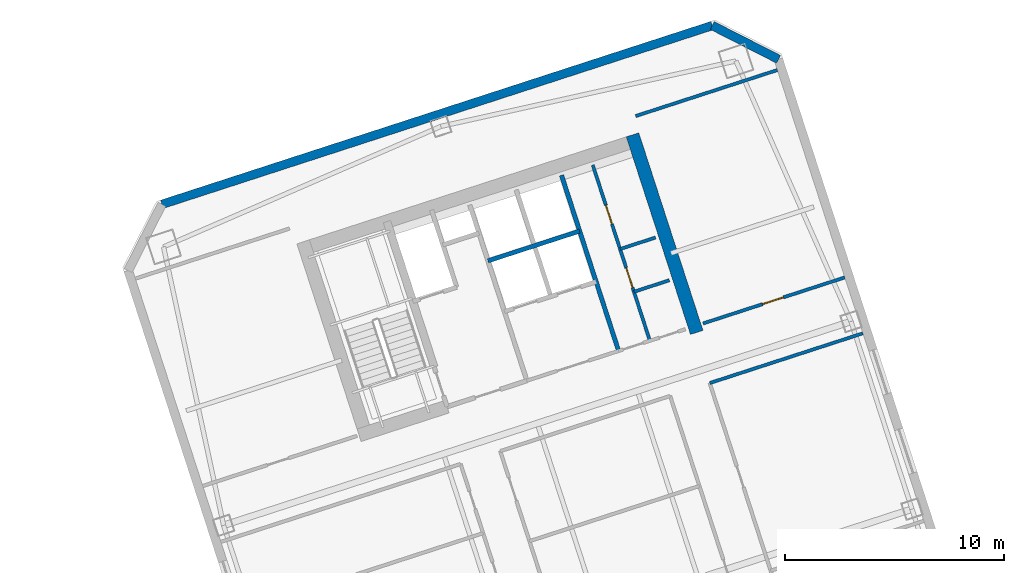
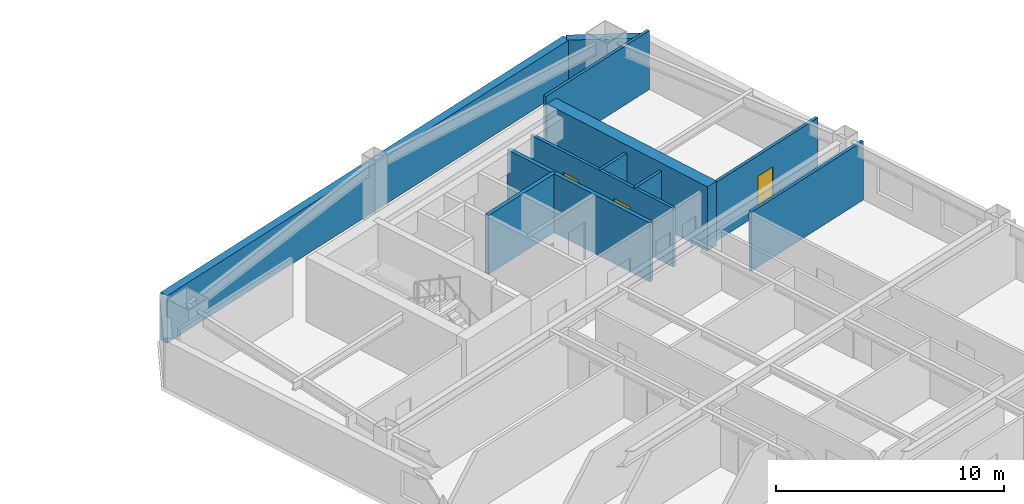
# One storey, part 10 of 13: 11 walls, 3 doors, 3 openings.
"""IFC4 building model written with IfcOpenShell, lengths in metres."""

from ifc_helpers import new_model, si_unit, direction, frame, frame_2d, origin, place, context, subcontext, project, spatial, rectangle, extrude, material, layer, layer_set, type_object, element, fill, save


model = new_model("IFC4")

# Units and contexts
model_context = context("Model", 3, precision=1e-05, world=origin(), true_north=direction((0.0, 1.0)))
body_context = subcontext(model_context, "Body", "Model", "MODEL_VIEW")
ifc_project = project(units=[si_unit("LENGTHUNIT", "METRE"), si_unit("AREAUNIT", "SQUARE_METRE"), si_unit("VOLUMEUNIT", "CUBIC_METRE"), si_unit("PLANEANGLEUNIT", "RADIAN"), si_unit("MASSUNIT", "GRAM", prefix="KILO")], contexts=[model_context])

# Site, building, storey
site_placement = place(None, origin())
site = spatial("IfcSite", under=ifc_project, at=site_placement, CompositionType="ELEMENT")
building_placement = place(site_placement, origin())
building = spatial("IfcBuilding", under=site, at=building_placement, Name="Qiaolan Cultural Towers", CompositionType="ELEMENT")
storey_placement = place(building_placement, frame((0.0, 0.0, 180.550048828125)))
storey = spatial("IfcBuildingStorey", under=building, at=storey_placement, Name="L48", CompositionType="ELEMENT", Elevation=180.550048828125)

# Walls
ifc_material_1 = material(Name="Concrete C55", Category="concrete")
ifc_layer_1 = layer(ifc_material_1, 0.60009765625)
ifc_layer_set_1 = layer_set([ifc_layer_1], Name="Concrete C55")
wall_type_1 = type_object("IfcWallType", Name="WL-CORE-600", PredefinedType="SHEAR", material=ifc_layer_set_1)
wall_1_placement = place(storey_placement, frame((94.4921875, 46.710205078125, 0.0), z_axis=(0.0, 0.0, 1.0), x_axis=(-0.309010370028, 0.95105866865, 0.0)))
element("IfcWall", 1, at=wall_1_placement, inside=storey, type_object=wall_type_1, Name="L48 T2-CN East Core Shear Wall", PredefinedType="SHEAR", context=body_context, shape_type="SweptSolid", body=[
    extrude(rectangle(XDim=9.47998046875, YDim=0.60009765625, at=frame_2d((4.739990234375, 0.0))), origin(), (0.0, 0.0, 1.0), 3.449951171875),
])
ifc_material_2 = material(Name="Precast Concrete C50 Honed Stone Pier", Category="masonry")
ifc_layer_2 = layer(ifc_material_2, 0.39990234375)
ifc_layer_set_2 = layer_set([ifc_layer_2], Name="Precast Concrete C50 Honed Stone Pier")
wall_type_2 = type_object("IfcWallType", Name="WL-EXT-PIER-400", PredefinedType="SOLIDWALL", material=ifc_layer_set_2)
wall_2_placement = place(storey_placement, frame((70.091552734375, 52.55615234375, 0.0), z_axis=(0.0, 0.0, 1.0), x_axis=(0.951057580055, 0.30901372044, 0.0)))
element("IfcWall", 2, at=wall_2_placement, inside=storey, type_object=wall_type_2, Name="L48 East Tower Precast Pier Facade Wall F3", PredefinedType="SOLIDWALL", context=body_context, shape_type="SweptSolid", body=[
    extrude(rectangle(XDim=26.39990234375, YDim=0.39990234375, at=frame_2d((13.199951171875, 0.0))), origin(), (0.0, 0.0, 1.0), 2.550048828125),
])
wall_3_placement = place(storey_placement, frame((95.199462890625, 60.714111328125, 0.0), z_axis=(0.0, 0.0, 1.0), x_axis=(0.891020832027, -0.453962417932, 0.0)))
element("IfcWall", 3, at=wall_3_placement, inside=storey, type_object=wall_type_2, Name="L48 East Tower Precast Pier Facade Wall F4", PredefinedType="SOLIDWALL", context=body_context, shape_type="SweptSolid", body=[
    extrude(rectangle(XDim=3.39404296875, YDim=0.39990234375, at=frame_2d((1.697021484375, 0.0))), origin(), (0.0, 0.0, 1.0), 2.550048828125),
])
ifc_material_3 = material(Name="Concrete C35 Fire Wall", Category="concrete")
ifc_layer_3 = layer(ifc_material_3, 0.199951171875)
ifc_layer_set_3 = layer_set([ifc_layer_3], Name="Concrete C35 Fire Wall")
wall_type_3 = type_object("IfcWallType", Name="WL-FIRE-200", PredefinedType="PARTITIONING", material=ifc_layer_set_3)
wall_4_placement = place(storey_placement, frame((90.92822265625, 45.86767578125, 0.0), z_axis=(0.0, 0.0, 1.0), x_axis=(-0.309042196757, 0.951048327176, 0.0)))
element("IfcWall", 4, at=wall_4_placement, inside=storey, type_object=wall_type_3, Name="L48 T2-CN Lift Core East Wall", PredefinedType="PARTITIONING", context=body_context, shape_type="SweptSolid", body=[
    extrude(rectangle(XDim=8.429931640625, YDim=0.199951171875, at=frame_2d((4.21484375, 0.0))), origin(), (0.0, 0.0, 1.0), 3.155029296875),
])
wall_5_placement = place(storey_placement, frame((84.966552734375, 49.9765625, 0.0), z_axis=(0.0, 0.0, 1.0), x_axis=(0.951063829732, 0.308994485023, 0.0)))
element("IfcWall", 5, at=wall_5_placement, inside=storey, type_object=wall_type_3, Name="L48 T2-CN Passenger Lift Shaft Back Wall", PredefinedType="PARTITIONING", context=body_context, shape_type="SweptSolid", body=[
    extrude(rectangle(XDim=4.400146484375, YDim=0.199951171875, at=frame_2d((2.2001953125, 0.0))), origin(), (0.0, 0.0, 1.0), 3.155029296875),
])

# Wall, openings, doors
ifc_material_4 = material(Name="Autoclaved Aerated Concrete Block B06", Category="concrete")
ifc_layer_4 = layer(ifc_material_4, 0.14990234375)
ifc_layer_set_4 = layer_set([ifc_layer_4], Name="Autoclaved Aerated Concrete Block B06")
wall_type_4 = type_object("IfcWallType", Name="WL-PART-150", PredefinedType="PARTITIONING", material=ifc_layer_set_4)
wall_6_placement = place(storey_placement, frame((92.354736328125, 46.3310546875, 0.0), z_axis=(0.0, 0.0, 1.0), x_axis=(-0.309007490203, 0.951059604335, 0.0)))
wall_6 = element("IfcWall", 6, at=wall_6_placement, inside=storey, type_object=wall_type_4, Name="L48 T2-CN Sanitary Corridor Wall", PredefinedType="PARTITIONING", context=body_context, shape_type="SweptSolid", body=[
    extrude(rectangle(XDim=8.43017578125, YDim=0.14990234375, at=frame_2d((4.215087890625, 0.0))), origin(), (0.0, 0.0, 1.0), 3.155029296875),
])
opening_1_placement = place(wall_6_placement, frame((2.550048828125, 0.0, 0.0)))
opening_1 = element("IfcOpeningElement", 7, at=opening_1_placement, cuts=wall_6, Name="Opening ID-05", PredefinedType="OPENING", context=body_context, shape_type="SweptSolid", body=[
    extrude(rectangle(XDim=0.949951171875, YDim=2.050048828125, at=frame_2d((0.47509765625, 1.02490234375))), frame((0.0, 0.0849609375, 0.0), z_axis=(0.0, -1.0, 0.0), x_axis=(1.0, 0.0, 0.0)), (0.0, 0.0, 1.0), 0.169921875),
])
opening_2_placement = place(wall_6_placement, frame((5.60009765625, 0.0, 0.0)))
opening_2 = element("IfcOpeningElement", 8, at=opening_2_placement, cuts=wall_6, Name="Opening ID-06", PredefinedType="OPENING", context=body_context, shape_type="SweptSolid", body=[
    extrude(rectangle(XDim=0.89990234375, YDim=2.050048828125, at=frame_2d((0.449951171875, 1.02490234375))), frame((0.0, 0.0849609375, 0.0), z_axis=(0.0, -1.0, 0.0), x_axis=(1.0, 0.0, 0.0)), (0.0, 0.0, 1.0), 0.169921875),
])
ifc_material_5 = material(Name="Fire-Rated Laminate Core Service Door", Category="timber")
door_type_1 = type_object("IfcDoorType", Name="DR-INT-900", OperationType="NOTDEFINED", PredefinedType="DOOR", material=ifc_material_5)
door_1_placement = place(opening_2_placement, origin())
door_1 = element("IfcDoor", 9, at=door_1_placement, inside=storey, type_object=door_type_1, Name="L48 Staff Restroom Door", OperationType="SINGLE_SWING_RIGHT", OverallHeight=2.050048828125, OverallWidth=0.89990234375, PredefinedType="DOOR", context=body_context, shape_type="SweptSolid", body=[
    extrude(rectangle(XDim=0.89990234375, YDim=2.050048828125, at=frame_2d((0.449951171875, 1.02490234375))), frame((0.0, 0.02490234375, 0.0), z_axis=(0.0, -1.0, 0.0), x_axis=(1.0, 0.0, 0.0)), (0.0, 0.0, 1.0), 0.050048828125),
])
fill(opening_2, door_1)
ifc_material_6 = material(Name="Fire-Rated Laminate Accessible Core Door", Category="timber")
door_type_2 = type_object("IfcDoorType", Name="DR-INT-950", OperationType="NOTDEFINED", PredefinedType="DOOR", material=ifc_material_6)
door_2_placement = place(opening_1_placement, origin())
door_2 = element("IfcDoor", 10, at=door_2_placement, inside=storey, type_object=door_type_2, Name="L48 Accessible Washroom Door", OperationType="SINGLE_SWING_LEFT", OverallHeight=2.050048828125, OverallWidth=0.949951171875, PredefinedType="DOOR", context=body_context, shape_type="SweptSolid", body=[
    extrude(rectangle(XDim=0.949951171875, YDim=2.050048828125, at=frame_2d((0.47509765625, 1.02490234375))), frame((0.0, 0.02490234375, 0.0), z_axis=(0.0, -1.0, 0.0), x_axis=(1.0, 0.0, 0.0)), (0.0, 0.0, 1.0), 0.050048828125),
])
fill(opening_1, door_2)

# Walls
wall_7_placement = place(storey_placement, frame((90.9951171875, 50.515869140625, 0.0), z_axis=(0.0, 0.0, 1.0), x_axis=(0.951040401051, 0.309066587596, 0.0)))
element("IfcWall", 11, at=wall_7_placement, inside=storey, type_object=wall_type_4, Name="L48 T2-CN Restroom Split Wall", PredefinedType="PARTITIONING", context=body_context, shape_type="SweptSolid", body=[
    extrude(rectangle(XDim=1.699951171875, YDim=0.14990234375, at=frame_2d((0.85009765625, 0.0))), origin(), (0.0, 0.0, 1.0), 3.155029296875),
])
wall_8_placement = place(storey_placement, frame((91.62841796875, 48.566162109375, 0.0), z_axis=(0.0, 0.0, 1.0), x_axis=(0.951054116971, 0.309024378638, 0.0)))
element("IfcWall", 12, at=wall_8_placement, inside=storey, type_object=wall_type_4, Name="L48 T2-CN Core Pantry Wall", PredefinedType="PARTITIONING", context=body_context, shape_type="SweptSolid", body=[
    extrude(rectangle(XDim=1.7001953125, YDim=0.14990234375, at=frame_2d((0.85009765625, 0.0))), origin(), (0.0, 0.0, 1.0), 3.155029296875),
])
wall_9_placement = place(storey_placement, frame((91.705078125, 56.582275390625, 0.0), z_axis=(0.0, 0.0, 1.0), x_axis=(0.951057811516, 0.309013008068, 0.0)))
element("IfcWall", 13, at=wall_9_placement, inside=storey, type_object=wall_type_4, Name="L48 T2 Flank Wall FLK-NE", PredefinedType="PARTITIONING", context=body_context, shape_type="SweptSolid", body=[
    extrude(rectangle(XDim=6.800048828125, YDim=0.14990234375, at=frame_2d((3.39990234375, 0.0))), origin(), (0.0, 0.0, 1.0), 3.155029296875),
])

# Wall, opening, door
wall_10_placement = place(storey_placement, frame((94.77978515625, 47.119140625, 0.0), z_axis=(0.0, 0.0, 1.0), x_axis=(0.951057811516, 0.309013008068, 0.0)))
wall_10 = element("IfcWall", 14, at=wall_10_placement, inside=storey, type_object=wall_type_4, Name="L48 T2 Flank Front FLK-NE", PredefinedType="PARTITIONING", context=body_context, shape_type="SweptSolid", body=[
    extrude(rectangle(XDim=6.800048828125, YDim=0.14990234375, at=frame_2d((3.39990234375, 0.0))), origin(), (0.0, 0.0, 1.0), 3.155029296875),
])
opening_3_placement = place(wall_10_placement, frame((2.85595703125, 0.0, 0.0)))
opening_3 = element("IfcOpeningElement", 15, at=opening_3_placement, cuts=wall_10, Name="Opening ID-04", PredefinedType="OPENING", context=body_context, shape_type="SweptSolid", body=[
    extrude(rectangle(XDim=1.0, YDim=2.050048828125, at=frame_2d((0.5, 1.02490234375))), frame((0.0, 0.0849609375, 0.0), z_axis=(0.0, -1.0, 0.0), x_axis=(1.0, 0.0, 0.0)), (0.0, 0.0, 1.0), 0.169921875),
])
ifc_material_7 = material(Name="Oak Veneer Acoustic Office Door", Category="timber")
door_type_3 = type_object("IfcDoorType", Name="DR-INT-1000", OperationType="NOTDEFINED", PredefinedType="DOOR", material=ifc_material_7)
door_3_placement = place(opening_3_placement, origin())
door_3 = element("IfcDoor", 16, at=door_3_placement, inside=storey, type_object=door_type_3, Name="L48 T2 Corner Studio Door", OperationType="SINGLE_SWING_LEFT", OverallHeight=2.050048828125, OverallWidth=1.0, PredefinedType="DOOR", context=body_context, shape_type="SweptSolid", body=[
    extrude(rectangle(XDim=1.0, YDim=2.050048828125, at=frame_2d((0.5, 1.02490234375))), frame((0.0, 0.02490234375, 0.0), z_axis=(0.0, -1.0, 0.0), x_axis=(1.0, 0.0, 0.0)), (0.0, 0.0, 1.0), 0.050048828125),
])
fill(opening_3, door_3)

# Wall
wall_11_placement = place(storey_placement, frame((95.0849609375, 44.400390625, 0.0), z_axis=(0.0, 0.0, 1.0), x_axis=(0.95105749975, 0.309013967595, 0.0)))
element("IfcWall", 17, at=wall_11_placement, inside=storey, type_object=wall_type_4, Name="L48 T2 Interior Wall", PredefinedType="PARTITIONING", context=body_context, shape_type="SweptSolid", body=[
    extrude(rectangle(XDim=7.349853515625, YDim=0.14990234375, at=frame_2d((3.6748046875, 0.0))), origin(), (0.0, 0.0, 1.0), 3.155029296875),
])

save(model, "model.ifc")
